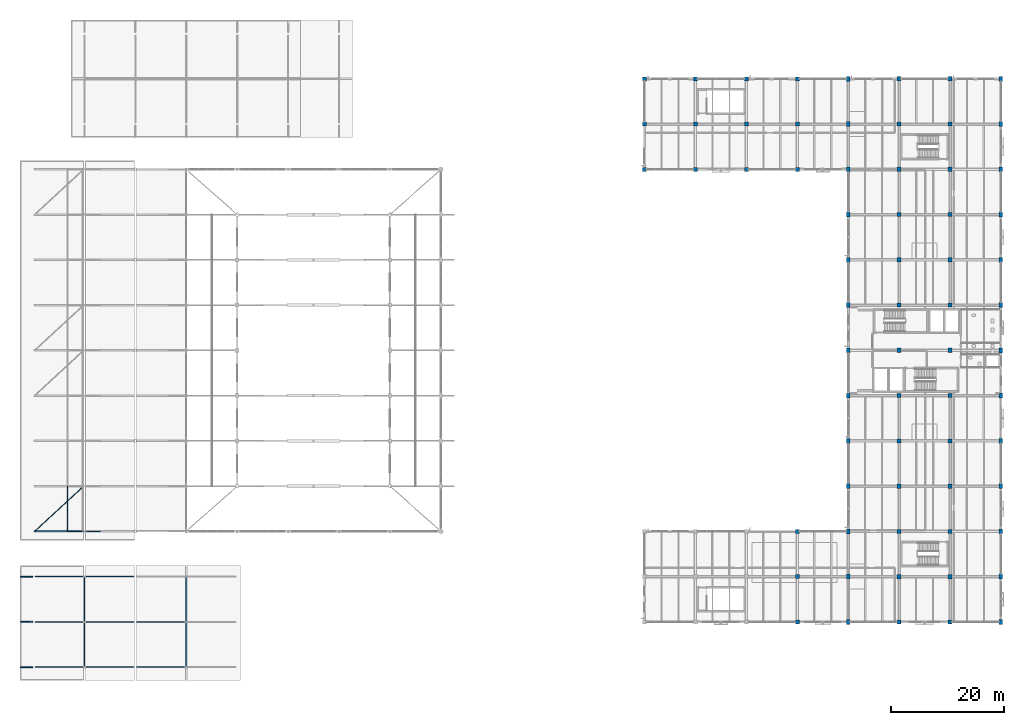
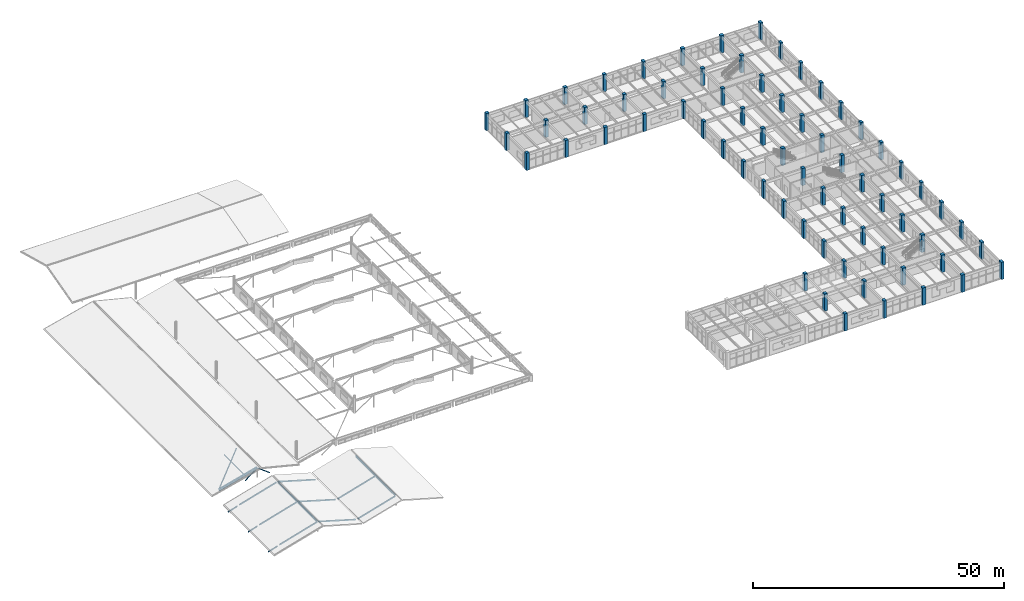
# One storey, part 10 of 128: 67 columns, 12 members, 8 beams.
"""IFC4 building model written with IfcOpenShell, lengths in metres."""

from ifc_helpers import new_model, si_unit, derived_unit, direction, frame, origin, origin_2d, place, context, subcontext, project, spatial, rectangle, hollow_rectangle, hollow_circle, i_section, extrude, material, material_profile, profile_set, type_object, element, save


model = new_model("IFC4")

# Units and contexts
model_context = context("Model", 3, precision=1e-05, world=origin(), true_north=direction((0.0, 1.0)))
body_context = subcontext(model_context, "Body", "Model", "MODEL_VIEW")
ifc_project = project(units=[si_unit("LENGTHUNIT", "METRE"), si_unit("AREAUNIT", "SQUARE_METRE"), si_unit("VOLUMEUNIT", "CUBIC_METRE"), si_unit("PLANEANGLEUNIT", "RADIAN"), si_unit("MASSUNIT", "GRAM", prefix="KILO"), derived_unit("THERMALTRANSMITTANCEUNIT", [(si_unit("MASSUNIT", "GRAM", prefix="KILO"), 1), (si_unit("TIMEUNIT", "SECOND"), -3), (si_unit("THERMODYNAMICTEMPERATUREUNIT", "KELVIN"), -1)])], contexts=[model_context])

# Site, building, storey
site_placement = place(None, origin())
site = spatial("IfcSite", under=ifc_project, at=site_placement, CompositionType="ELEMENT")
building_placement = place(site_placement, origin())
building = spatial("IfcBuilding", under=site, at=building_placement, Name="Zhenchuan Archway Interchange", CompositionType="ELEMENT")
storey_placement = place(building_placement, frame((0.0, 0.0, 14.39990234375)))
storey = spatial("IfcBuildingStorey", under=building, at=storey_placement, Name="L03", CompositionType="ELEMENT", Elevation=14.39990234375)

# Columns
ifc_material_1 = material(Name="Concrete C40", Category="concrete")
ifc_material_profile_1 = material_profile(ifc_material_1, rectangle(XDim=0.60009765625, YDim=0.89990234375, at=origin_2d()), Name="RC 600x900")
ifc_profile_set_1 = profile_set([ifc_material_profile_1], Name="Concrete C40")
column_type_1 = type_object("IfcColumnType", Name="COL_RC_600x900_T", PredefinedType="COLUMN", material=ifc_profile_set_1)
for number, where, z_axis, x_axis, name in (
    (1, (144.0, 8.0, 0.0), (0.0, 0.0, 1.0), (1.0, 0.0, 0.0), "Column 17/B (L03)"),
    (2, (144.0, 16.0, 0.0), (0.0, 0.0, 1.0), (1.0, 0.0, 0.0), "Column 17/C (L03)"),
    (3, (144.0, 24.0, 0.0), (0.0, 0.0, 1.0), (1.0, 0.0, 0.0), "Column 17/D (L03)"),
    (4, (144.0, 32.0, 0.0), (0.0, 0.0, 1.0), (1.0, 0.0, 0.0), "Column 17/E (L03)"),
    (5, (144.0, 40.0, 0.0), (0.0, 0.0, 1.0), (1.0, 0.0, 0.0), "Column 17/F (L03)"),
    (6, (144.0, 48.0, 0.0), (0.0, 0.0, 1.0), (1.0, 0.0, 0.0), "Column 17/G (L03)"),
    (7, (144.0, 56.0, 0.0), (0.0, 0.0, 1.0), (1.0, 0.0, 0.0), "Column 17/H (L03)"),
    (8, (144.0, 64.0, 0.0), (0.0, 0.0, 1.0), (1.0, 0.0, 0.0), "Column 17/J (L03)"),
    (9, (144.0, 72.0, 0.0), (0.0, 0.0, 1.0), (1.0, 0.0, 0.0), "Column 17/K (L03)"),
    (10, (144.0, 80.0, 0.0), (0.0, 0.0, 1.0), (1.0, 0.0, 0.0), "Column 17/L (L03)"),
    (11, (144.0, 88.0, 0.0), (0.0, 0.0, 1.0), (1.0, 0.0, 0.0), "Column 17/M (L03)"),
    (12, (144.0, 96.0, 0.0), (0.0, 0.0, 1.0), (1.0, 0.0, 0.0), "Column 17/N (L03)"),
    (13, (144.0, 104.0, 0.0), (0.0, 0.0, 1.0), (1.0, 0.0, 0.0), "Column 17/O (L03)"),
    (14, (171.0, 8.0, 0.0), (0.0, 0.0, 1.0), (1.0, 0.0, 0.0), "Column 20/B (L03)"),
    (15, (171.0, 16.0, 0.0), (0.0, 0.0, 1.0), (1.0, 0.0, 0.0), "Column 20/C (L03)"),
    (16, (171.0, 24.0, 0.0), (0.0, 0.0, 1.0), (1.0, 0.0, 0.0), "Column 20/D (L03)"),
    (17, (171.0, 32.0, 0.0), (0.0, 0.0, 1.0), (1.0, 0.0, 0.0), "Column 20/E (L03)"),
    (18, (171.0, 40.0, 0.0), (0.0, 0.0, 1.0), (1.0, 0.0, 0.0), "Column 20/F (L03)"),
    (19, (171.0, 48.0, 0.0), (0.0, 0.0, 1.0), (1.0, 0.0, 0.0), "Column 20/G (L03)"),
    (20, (171.0, 56.0, 0.0), (0.0, 0.0, 1.0), (1.0, 0.0, 0.0), "Column 20/H (L03)"),
    (21, (171.0, 64.0, 0.0), (0.0, 0.0, 1.0), (1.0, 0.0, 0.0), "Column 20/J (L03)"),
    (22, (171.0, 72.0, 0.0), (0.0, 0.0, 1.0), (1.0, 0.0, 0.0), "Column 20/K (L03)"),
    (23, (171.0, 80.0, 0.0), (0.0, 0.0, 1.0), (1.0, 0.0, 0.0), "Column 20/L (L03)"),
    (24, (171.0, 88.0, 0.0), (0.0, 0.0, 1.0), (1.0, 0.0, 0.0), "Column 20/M (L03)"),
    (25, (171.0, 96.0, 0.0), (0.0, 0.0, 1.0), (1.0, 0.0, 0.0), "Column 20/N (L03)"),
    (26, (171.0, 104.0, 0.0), (0.0, 0.0, 1.0), (1.0, 0.0, 0.0), "Column 20/O (L03)"),
):
    element("IfcColumn", number, at=place(storey_placement, frame(where, z_axis=z_axis, x_axis=x_axis)), inside=storey, type_object=column_type_1, Name=name, PredefinedType="COLUMN", context=body_context, shape_type="SweptSolid", body=[
        extrude(rectangle(XDim=0.60009765625, YDim=0.89990234375, at=origin_2d()), origin(), (0.0, 0.0, 1.0), 4.2001953125),
    ])
ifc_material_profile_2 = material_profile(ifc_material_1, rectangle(XDim=0.699951171875, YDim=0.699951171875, at=origin_2d()), Name="RC 700x700")
ifc_profile_set_2 = profile_set([ifc_material_profile_2], Name="Concrete C40")
column_type_2 = type_object("IfcColumnType", Name="COL_RC_700", PredefinedType="COLUMN", material=ifc_profile_set_2)
for number, where, z_axis, x_axis, name in (
    (27, (108.0, 88.0, 0.0), (0.0, 0.0, 1.0), (1.0, 0.0, 0.0), "Column 13/M (L03)"),
    (28, (108.0, 96.0, 0.0), (0.0, 0.0, 1.0), (1.0, 0.0, 0.0), "Column 13/N (L03)"),
    (29, (108.0, 104.0, 0.0), (0.0, 0.0, 1.0), (1.0, 0.0, 0.0), "Column 13/O (L03)"),
    (30, (117.0, 88.0, 0.0), (0.0, 0.0, 1.0), (1.0, 0.0, 0.0), "Column 14/M (L03)"),
    (31, (117.0, 96.0, 0.0), (0.0, 0.0, 1.0), (1.0, 0.0, 0.0), "Column 14/N (L03)"),
    (32, (117.0, 104.0, 0.0), (0.0, 0.0, 1.0), (1.0, 0.0, 0.0), "Column 14/O (L03)"),
    (33, (126.0, 88.0, 0.0), (0.0, 0.0, 1.0), (1.0, 0.0, 0.0), "Column 15/M (L03)"),
    (34, (126.0, 96.0, 0.0), (0.0, 0.0, 1.0), (1.0, 0.0, 0.0), "Column 15/N (L03)"),
    (35, (126.0, 104.0, 0.0), (0.0, 0.0, 1.0), (1.0, 0.0, 0.0), "Column 15/O (L03)"),
    (36, (135.0, 8.0, 0.0), (0.0, 0.0, 1.0), (1.0, 0.0, 0.0), "Column 16/B (L03)"),
    (37, (135.0, 16.0, 0.0), (0.0, 0.0, 1.0), (1.0, 0.0, 0.0), "Column 16/C (L03)"),
    (38, (135.0, 24.0, 0.0), (0.0, 0.0, 1.0), (1.0, 0.0, 0.0), "Column 16/D (L03)"),
    (39, (135.0, 88.0, 0.0), (0.0, 0.0, 1.0), (1.0, 0.0, 0.0), "Column 16/M (L03)"),
    (40, (135.0, 96.0, 0.0), (0.0, 0.0, 1.0), (1.0, 0.0, 0.0), "Column 16/N (L03)"),
    (41, (135.0, 104.0, 0.0), (0.0, 0.0, 1.0), (1.0, 0.0, 0.0), "Column 16/O (L03)"),
):
    element("IfcColumn", number, at=place(storey_placement, frame(where, z_axis=z_axis, x_axis=x_axis)), inside=storey, type_object=column_type_2, Name=name, PredefinedType="COLUMN", context=body_context, shape_type="SweptSolid", body=[
        extrude(rectangle(XDim=0.699951171875, YDim=0.699951171875, at=origin_2d()), origin(), (0.0, 0.0, 1.0), 4.2001953125),
    ])
ifc_material_profile_3 = material_profile(ifc_material_1, rectangle(XDim=0.75, YDim=0.75, at=origin_2d()), Name="RC 750x750")
ifc_profile_set_3 = profile_set([ifc_material_profile_3], Name="Concrete C40")
column_type_3 = type_object("IfcColumnType", Name="COL_RC_750_T", PredefinedType="COLUMN", material=ifc_profile_set_3)
for number, where, z_axis, x_axis, name in (
    (42, (153.0, 8.0, 0.0), (0.0, 0.0, 1.0), (1.0, 0.0, 0.0), "Column 18/B (L03)"),
    (43, (153.0, 16.0, 0.0), (0.0, 0.0, 1.0), (1.0, 0.0, 0.0), "Column 18/C (L03)"),
    (44, (153.0, 24.0, 0.0), (0.0, 0.0, 1.0), (1.0, 0.0, 0.0), "Column 18/D (L03)"),
    (45, (153.0, 32.0, 0.0), (0.0, 0.0, 1.0), (1.0, 0.0, 0.0), "Column 18/E (L03)"),
    (46, (153.0, 40.0, 0.0), (0.0, 0.0, 1.0), (1.0, 0.0, 0.0), "Column 18/F (L03)"),
    (47, (153.0, 48.0, 0.0), (0.0, 0.0, 1.0), (1.0, 0.0, 0.0), "Column 18/G (L03)"),
    (48, (153.0, 56.0, 0.0), (0.0, 0.0, 1.0), (1.0, 0.0, 0.0), "Column 18/H (L03)"),
    (49, (153.0, 64.0, 0.0), (0.0, 0.0, 1.0), (1.0, 0.0, 0.0), "Column 18/J (L03)"),
    (50, (153.0, 72.0, 0.0), (0.0, 0.0, 1.0), (1.0, 0.0, 0.0), "Column 18/K (L03)"),
    (51, (153.0, 80.0, 0.0), (0.0, 0.0, 1.0), (1.0, 0.0, 0.0), "Column 18/L (L03)"),
    (52, (153.0, 88.0, 0.0), (0.0, 0.0, 1.0), (1.0, 0.0, 0.0), "Column 18/M (L03)"),
    (53, (153.0, 96.0, 0.0), (0.0, 0.0, 1.0), (1.0, 0.0, 0.0), "Column 18/N (L03)"),
    (54, (153.0, 104.0, 0.0), (0.0, 0.0, 1.0), (1.0, 0.0, 0.0), "Column 18/O (L03)"),
    (55, (162.0, 8.0, 0.0), (0.0, 0.0, 1.0), (1.0, 0.0, 0.0), "Column 19/B (L03)"),
    (56, (162.0, 16.0, 0.0), (0.0, 0.0, 1.0), (1.0, 0.0, 0.0), "Column 19/C (L03)"),
    (57, (162.0, 24.0, 0.0), (0.0, 0.0, 1.0), (1.0, 0.0, 0.0), "Column 19/D (L03)"),
    (58, (162.0, 32.0, 0.0), (0.0, 0.0, 1.0), (1.0, 0.0, 0.0), "Column 19/E (L03)"),
    (59, (162.0, 40.0, 0.0), (0.0, 0.0, 1.0), (1.0, 0.0, 0.0), "Column 19/F (L03)"),
    (60, (162.0, 48.0, 0.0), (0.0, 0.0, 1.0), (1.0, 0.0, 0.0), "Column 19/G (L03)"),
    (61, (162.0, 56.0, 0.0), (0.0, 0.0, 1.0), (1.0, 0.0, 0.0), "Column 19/H (L03)"),
    (62, (162.0, 64.0, 0.0), (0.0, 0.0, 1.0), (1.0, 0.0, 0.0), "Column 19/J (L03)"),
    (63, (162.0, 72.0, 0.0), (0.0, 0.0, 1.0), (1.0, 0.0, 0.0), "Column 19/K (L03)"),
    (64, (162.0, 80.0, 0.0), (0.0, 0.0, 1.0), (1.0, 0.0, 0.0), "Column 19/L (L03)"),
    (65, (162.0, 88.0, 0.0), (0.0, 0.0, 1.0), (1.0, 0.0, 0.0), "Column 19/M (L03)"),
    (66, (162.0, 96.0, 0.0), (0.0, 0.0, 1.0), (1.0, 0.0, 0.0), "Column 19/N (L03)"),
    (67, (162.0, 104.0, 0.0), (0.0, 0.0, 1.0), (1.0, 0.0, 0.0), "Column 19/O (L03)"),
):
    element("IfcColumn", number, at=place(storey_placement, frame(where, z_axis=z_axis, x_axis=x_axis)), inside=storey, type_object=column_type_3, Name=name, PredefinedType="COLUMN", context=body_context, shape_type="SweptSolid", body=[
        extrude(rectangle(XDim=0.75, YDim=0.75, at=origin_2d()), origin(), (0.0, 0.0, 1.0), 4.2001953125),
    ])

# Beams
ifc_material_2 = material(Name="Steel Q355", Category="steel")
ifc_material_profile_4 = material_profile(ifc_material_2, i_section(OverallWidth=0.14990234375, OverallDepth=0.300048828125, WebThickness=0.006591796875, FlangeThickness=0.009033203125, FilletRadius=0.012939453125, at=origin_2d()), Name="HN 300x150")
ifc_profile_set_4 = profile_set([ifc_material_profile_4], Name="Steel Q355")
beam_type_1 = type_object("IfcBeamType", Name="BM_STL_EAVE_HN300", PredefinedType="BEAM", material=ifc_profile_set_4)
for number, where, z_axis, x_axis, name in (
    (68, (-0.199951171875, 0.0, -0.3798828125), (-0.958426217643, 0.0, -0.285340472654), (0.0, -1.0, 0.0), "Cycle Hub west storm-eave bracket S"),
    (69, (-0.199951171875, 8.0, -0.3798828125), (-0.958426217643, 0.0, -0.285340472654), (0.0, -1.0, 0.0), "Cycle Hub west storm-eave bracket M"),
    (70, (-0.199951171875, 16.0, -0.3798828125), (-0.958426217643, 0.0, -0.285340472654), (0.0, -1.0, 0.0), "Cycle Hub west storm-eave bracket N"),
):
    element("IfcBeam", number, at=place(storey_placement, frame(where, z_axis=z_axis, x_axis=x_axis)), inside=storey, type_object=beam_type_1, Name=name, PredefinedType="BEAM", context=body_context, shape_type="SweptSolid", body=[
        extrude(i_section(OverallWidth=0.14990234375, OverallDepth=0.300048828125, WebThickness=0.006591796875, FlangeThickness=0.009033203125, FilletRadius=0.012939453125, at=origin_2d()), origin(), (0.0, 0.0, 1.0), 2.243408203125),
    ])
ifc_material_profile_5 = material_profile(ifc_material_2, i_section(OverallWidth=0.199951171875, OverallDepth=0.39990234375, WebThickness=0.008056640625, FlangeThickness=0.012939453125, FilletRadius=0.01611328125, at=origin_2d()), Name="HN 400x200")
ifc_profile_set_5 = profile_set([ifc_material_profile_5], Name="Steel Q355")
beam_type_2 = type_object("IfcBeamType", Name="BM_STL_GABLE_HN400", PredefinedType="BEAM", material=ifc_profile_set_5)
for number, where, z_axis, x_axis, name in (
    (71, (9.0, 0.0400390625, 2.320068359375), (0.0, 1.0, 0.0), (-1.0, 0.0, 0.0), "Cycle Hub folded-plate ridge beam X9-1"),
    (72, (9.0, 8.0400390625, 2.320068359375), (0.0, 1.0, 0.0), (-1.0, 0.0, 0.0), "Cycle Hub folded-plate ridge beam X9-2"),
    (73, (27.0, 0.0400390625, 2.320068359375), (0.0, 1.0, 0.0), (-1.0, 0.0, 0.0), "Cycle Hub folded-plate ridge beam X27-1"),
    (74, (27.0, 8.0400390625, 2.320068359375), (0.0, 1.0, 0.0), (-1.0, 0.0, 0.0), "Cycle Hub folded-plate ridge beam X27-2"),
):
    element("IfcBeam", number, at=place(storey_placement, frame(where, z_axis=z_axis, x_axis=x_axis)), inside=storey, type_object=beam_type_2, Name=name, PredefinedType="BEAM", context=body_context, shape_type="SweptSolid", body=[
        extrude(i_section(OverallWidth=0.199951171875, OverallDepth=0.39990234375, WebThickness=0.008056640625, FlangeThickness=0.012939453125, FilletRadius=0.01611328125, at=origin_2d()), origin(), (0.0, 0.0, 1.0), 7.919921875),
    ])
ifc_material_3 = material(Name="Steel Q390", Category="steel")
ifc_material_profile_6 = material_profile(ifc_material_3, i_section(OverallWidth=0.300048828125, OverallDepth=0.5, WebThickness=0.010986328125, FlangeThickness=0.01806640625, FilletRadius=0.02197265625, at=origin_2d()), Name="HM 500x300")
ifc_profile_set_6 = profile_set([ifc_material_profile_6], Name="Steel Q390")
beam_type_3 = type_object("IfcBeamType", Name="BM_STL_HM500", PredefinedType="BEAM", material=ifc_profile_set_6)
beam_placement = place(storey_placement, frame((0.10009765625, 24.0, -1.3798828125), z_axis=(0.966597493946, 0.0, 0.256299209318), x_axis=(0.0, 1.0, 0.0)))
element("IfcBeam", 75, at=beam_placement, inside=storey, type_object=beam_type_3, Name="ROOF TRUSS bus canopy T1 top chord 1", PredefinedType="BEAM", context=body_context, shape_type="SweptSolid", body=[
    extrude(i_section(OverallWidth=0.300048828125, OverallDepth=0.5, WebThickness=0.010986328125, FlangeThickness=0.01806640625, FilletRadius=0.02197265625, at=origin_2d()), origin(), (0.0, 0.0, 1.0), 9.20751953125),
])

# Members
ifc_material_profile_7 = material_profile(ifc_material_2, hollow_circle(Radius=0.083984375, WallThickness=0.008056640625, at=origin_2d()), Name="CHS 168x8")
ifc_profile_set_7 = profile_set([ifc_material_profile_7], Name="Steel Q355")
member_type_1 = type_object("IfcMemberType", Name="MB_CHS168", PredefinedType="BRACE", material=ifc_profile_set_7)
member_1_placement = place(storey_placement, frame((0.300048828125, 24.10009765625, -1.219970703125), z_axis=(0.72240590954, 0.666823379792, 0.18296524813), x_axis=(-0.678273048467, 0.734809956195, 0.0)))
element("IfcMember", 76, at=member_1_placement, inside=storey, type_object=member_type_1, Name="Bus canopy wind brace B1-W", PredefinedType="BRACE", context=body_context, shape_type="SweptSolid", body=[
    extrude(hollow_circle(Radius=0.083984375, WallThickness=0.008056640625, at=origin_2d()), origin(), (0.0, 0.0, 1.0), 11.697021484375),
])
ifc_material_profile_8 = material_profile(ifc_material_2, hollow_circle(Radius=0.109619140625, WallThickness=0.008056640625, at=origin_2d()), Name="CHS 219x8")
ifc_profile_set_8 = profile_set([ifc_material_profile_8], Name="Steel Q355")
member_type_2 = type_object("IfcMemberType", Name="MB_CHS219", PredefinedType="BRACE", material=ifc_profile_set_8)
member_2_placement = place(storey_placement, frame((6.199951171875, 24.0, -1.290771484375), z_axis=(0.790860205512, 0.0, 0.611996842588), x_axis=(0.0, 1.0, 0.0)))
element("IfcMember", 77, at=member_2_placement, inside=storey, type_object=member_type_2, Name="ROOF TRUSS bus canopy T1 web D1", PredefinedType="BRACE", context=body_context, shape_type="SweptSolid", body=[
    extrude(hollow_circle(Radius=0.109619140625, WallThickness=0.008056640625, at=origin_2d()), origin(), (0.0, 0.0, 1.0), 3.35107421875),
])
member_3_placement = place(storey_placement, frame((11.800048828125, 24.0, -1.254638671875), z_axis=(-0.796084461129, 0.0, 0.605185534154), x_axis=(0.0, -1.0, 0.0)))
element("IfcMember", 78, at=member_3_placement, inside=storey, type_object=member_type_2, Name="ROOF TRUSS bus canopy T1 web D2", PredefinedType="BRACE", context=body_context, shape_type="SweptSolid", body=[
    extrude(hollow_circle(Radius=0.109619140625, WallThickness=0.008056640625, at=origin_2d()), origin(), (0.0, 0.0, 1.0), 3.328857421875),
])
ifc_material_profile_9 = material_profile(ifc_material_2, hollow_rectangle(XDim=0.14990234375, YDim=0.25, WallThickness=0.008056640625, InnerFilletRadius=0.008056640625, OuterFilletRadius=0.01611328125, at=origin_2d()), Name="RHS 250x150x8")
ifc_profile_set_9 = profile_set([ifc_material_profile_9], Name="Steel Q355")
member_type_3 = type_object("IfcMemberType", Name="MB_RHS250", PredefinedType="PURLIN", material=ifc_profile_set_9)
member_4_placement = place(storey_placement, frame((6.0, 24.008056640625, 0.260009765625), z_axis=(0.0, 1.0, 0.0), x_axis=(-1.0, 0.0, 0.0)))
element("IfcMember", 79, at=member_4_placement, inside=storey, type_object=member_type_3, Name="Bus canopy roof purlin B1-P2", PredefinedType="PURLIN", context=body_context, shape_type="SweptSolid", body=[
    extrude(hollow_rectangle(XDim=0.14990234375, YDim=0.25, WallThickness=0.008056640625, InnerFilletRadius=0.008056640625, OuterFilletRadius=0.01611328125, at=origin_2d()), origin(), (0.0, 0.0, 1.0), 7.98388671875),
])
ifc_material_profile_10 = material_profile(ifc_material_2, hollow_rectangle(XDim=0.199951171875, YDim=0.300048828125, WallThickness=0.010009765625, InnerFilletRadius=0.010009765625, OuterFilletRadius=0.02001953125, at=origin_2d()), Name="RHS 300x200x10")
ifc_profile_set_10 = profile_set([ifc_material_profile_10], Name="Steel Q355")
member_type_4 = type_object("IfcMemberType", Name="MB_RHS300", PredefinedType="CHORD", material=ifc_profile_set_10)
for number, where, z_axis, x_axis, name in (
    (80, (0.25, 0.0, -0.199951171875), (0.959811619482, 0.0, 0.28064506963), (0.0, 1.0, 0.0), "Cycle Hub folded-plate rafter S-1"),
    (81, (9.199951171875, 0.0, 2.300048828125), (0.959811619482, 0.0, -0.28064506963), (0.0, 1.0, 0.0), "Cycle Hub folded-plate rafter S-2"),
    (82, (18.25, 0.0, -0.199951171875), (0.959811619482, 0.0, 0.28064506963), (0.0, 1.0, 0.0), "Cycle Hub folded-plate rafter S-3"),
    (83, (0.25, 8.0, -0.199951171875), (0.959811619482, 0.0, 0.28064506963), (0.0, 1.0, 0.0), "Cycle Hub folded-plate rafter M-1"),
    (84, (9.199951171875, 8.0, 2.300048828125), (0.959811619482, 0.0, -0.28064506963), (0.0, 1.0, 0.0), "Cycle Hub folded-plate rafter M-2"),
    (85, (18.25, 8.0, -0.199951171875), (0.959811619482, 0.0, 0.28064506963), (0.0, 1.0, 0.0), "Cycle Hub folded-plate rafter M-3"),
    (86, (0.25, 16.0, -0.199951171875), (0.959811619482, 0.0, 0.28064506963), (0.0, 1.0, 0.0), "Cycle Hub folded-plate rafter N-1"),
    (87, (9.199951171875, 16.0, 2.300048828125), (0.959811619482, 0.0, -0.28064506963), (0.0, 1.0, 0.0), "Cycle Hub folded-plate rafter N-2"),
):
    element("IfcMember", number, at=place(storey_placement, frame(where, z_axis=z_axis, x_axis=x_axis)), inside=storey, type_object=member_type_4, Name=name, PredefinedType="CHORD", context=body_context, shape_type="SweptSolid", body=[
        extrude(hollow_rectangle(XDim=0.199951171875, YDim=0.300048828125, WallThickness=0.010009765625, InnerFilletRadius=0.010009765625, OuterFilletRadius=0.02001953125, at=origin_2d()), origin(), (0.0, 0.0, 1.0), 8.907958984375),
    ])

save(model, "model.ifc")
